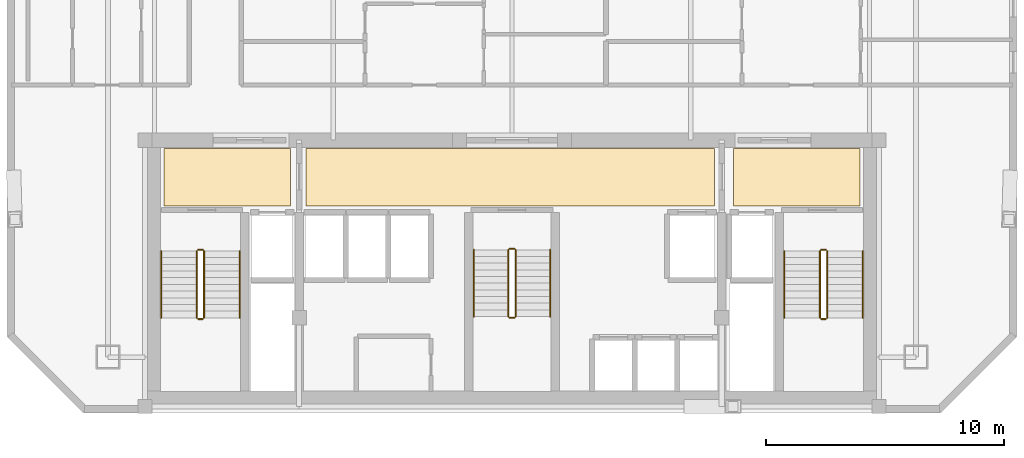
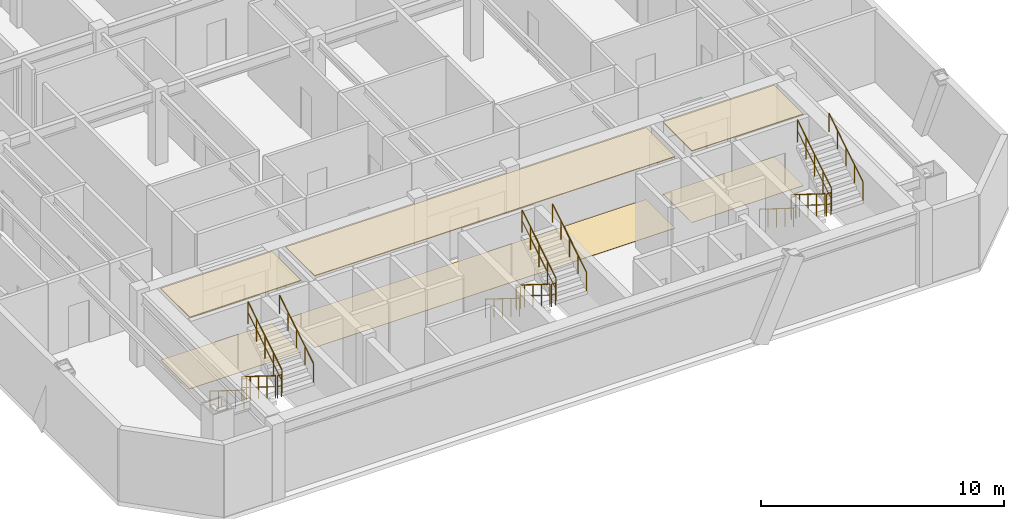
# One storey, part 7 of 7: 18 railings, 6 coverings.
"""IFC4 building model written with IfcOpenShell, lengths in metres."""

from ifc_helpers import new_model, si_unit, direction, frame, origin, origin_2d, place, context, subcontext, project, spatial, polyline, circle, outline, extrude, material, layer, layer_set, type_object, element, save


model = new_model("IFC4")

# Units and contexts
model_context = context("Model", 3, precision=1e-05, world=origin(), true_north=direction((0.0, 1.0)))
body_context = subcontext(model_context, "Body", "Model", "MODEL_VIEW")
ifc_project = project(units=[si_unit("LENGTHUNIT", "METRE"), si_unit("AREAUNIT", "SQUARE_METRE"), si_unit("VOLUMEUNIT", "CUBIC_METRE"), si_unit("PLANEANGLEUNIT", "RADIAN"), si_unit("MASSUNIT", "GRAM", prefix="KILO")], contexts=[model_context])

# Site, building, storey
site_placement = place(None, origin())
site = spatial("IfcSite", under=ifc_project, at=site_placement, CompositionType="ELEMENT")
building_placement = place(site_placement, origin())
building = spatial("IfcBuilding", under=site, at=building_placement, Name="Ventersveld Concourse Tower", CompositionType="ELEMENT")
storey_placement = place(building_placement, frame((0.0, 0.0, 234.949951171875)))
storey = spatial("IfcBuildingStorey", under=building, at=storey_placement, Name="L58", CompositionType="ELEMENT", Elevation=234.949951171875)

# Coverings
ifc_material_1 = material(Name="Mineral-fibre acoustic ceiling tile", Category="gypsum")
ifc_layer_1 = layer(ifc_material_1, 0.0400390625)
ifc_layer_set_1 = layer_set([ifc_layer_1], Name="Mineral-fibre acoustic ceiling tile")
covering_type_1 = type_object("IfcCoveringType", Name="COV-CEIL-ACOUSTIC", PredefinedType="CEILING", material=ifc_layer_set_1)
covering_1_placement = place(storey_placement, frame((0.0, 0.0, 3.590087890625)))
element("IfcCovering", 1, at=covering_1_placement, inside=storey, type_object=covering_type_1, Name="L58 North Lift Lobby Acoustic Ceiling", PredefinedType="CEILING", context=body_context, shape_type="SweptSolid", body=[
    extrude(outline(polyline([(20.10009765625, 8.699951171875), (37.25, 8.699951171875), (37.25, 11.10009765625), (20.10009765625, 11.10009765625), (20.10009765625, 8.699951171875)])), origin(), (0.0, 0.0, 1.0), 0.0400390625),
])
covering_2_placement = place(storey_placement, frame((0.0, 0.0, 3.590087890625)))
element("IfcCovering", 2, at=covering_2_placement, inside=storey, type_object=covering_type_1, Name="L58 West Firefighting Lobby Acoustic Ceiling", PredefinedType="CEILING", context=body_context, shape_type="SweptSolid", body=[
    extrude(outline(polyline([(14.14990234375, 8.699951171875), (19.449951171875, 8.699951171875), (19.449951171875, 11.10009765625), (14.14990234375, 11.10009765625), (14.14990234375, 8.699951171875)])), origin(), (0.0, 0.0, 1.0), 0.0400390625),
])
covering_3_placement = place(storey_placement, frame((0.0, 0.0, 3.590087890625)))
element("IfcCovering", 3, at=covering_3_placement, inside=storey, type_object=covering_type_1, Name="L58 East Firefighting Lobby Acoustic Ceiling", PredefinedType="CEILING", context=body_context, shape_type="SweptSolid", body=[
    extrude(outline(polyline([(38.050048828125, 8.699951171875), (43.35009765625, 8.699951171875), (43.35009765625, 11.10009765625), (38.050048828125, 11.10009765625), (38.050048828125, 8.699951171875)])), origin(), (0.0, 0.0, 1.0), 0.0400390625),
])
ifc_material_2 = material(Name="Polished Highveld granite terrazzo", Category="masonry")
ifc_layer_2 = layer(ifc_material_2, 0.02001953125)
ifc_layer_set_2 = layer_set([ifc_layer_2], Name="Polished Highveld granite terrazzo")
covering_type_2 = type_object("IfcCoveringType", Name="COV-FLOOR-TERRAZZO", PredefinedType="FLOORING", material=ifc_layer_set_2)
covering_4_placement = place(storey_placement, origin())
element("IfcCovering", 4, at=covering_4_placement, inside=storey, type_object=covering_type_2, Name="L58 North Lift Lobby Terrazzo Flooring", PredefinedType="FLOORING", context=body_context, shape_type="SweptSolid", body=[
    extrude(outline(polyline([(20.10009765625, 8.699951171875), (37.25, 8.699951171875), (37.25, 11.10009765625), (20.10009765625, 11.10009765625), (20.10009765625, 8.699951171875)])), origin(), (0.0, 0.0, 1.0), 0.02001953125),
])
covering_5_placement = place(storey_placement, origin())
element("IfcCovering", 5, at=covering_5_placement, inside=storey, type_object=covering_type_2, Name="L58 West Firefighting Lobby Terrazzo Flooring", PredefinedType="FLOORING", context=body_context, shape_type="SweptSolid", body=[
    extrude(outline(polyline([(14.14990234375, 8.699951171875), (19.449951171875, 8.699951171875), (19.449951171875, 11.10009765625), (14.14990234375, 11.10009765625), (14.14990234375, 8.699951171875)])), origin(), (0.0, 0.0, 1.0), 0.02001953125),
])
covering_6_placement = place(storey_placement, origin())
element("IfcCovering", 6, at=covering_6_placement, inside=storey, type_object=covering_type_2, Name="L58 East Firefighting Lobby Terrazzo Flooring", PredefinedType="FLOORING", context=body_context, shape_type="SweptSolid", body=[
    extrude(outline(polyline([(38.050048828125, 8.699951171875), (43.35009765625, 8.699951171875), (43.35009765625, 11.10009765625), (38.050048828125, 11.10009765625), (38.050048828125, 8.699951171875)])), origin(), (0.0, 0.0, 1.0), 0.02001953125),
])

# Railings
ifc_material_3 = material(Name="Brushed stainless steel 316", Category="steel")
railing_type_1 = type_object("IfcRailingType", Name="GD-BAL-115", PredefinedType="GUARDRAIL", material=ifc_material_3)
railing_1_placement = place(storey_placement, frame((15.530029296875, 6.800048828125, 0.175048828125)))
element("IfcRailing", 7, at=railing_1_placement, inside=storey, type_object=railing_type_1, Name="L58 ST-01 stair guard 1", PredefinedType="GUARDRAIL", context=body_context, shape_type="SweptSolid", body=[
    extrude(circle(Radius=0.02392578125, at=origin_2d()), frame((0.0, 0.0, 1.1259765625), z_axis=(0.0, -0.848002457836, 0.529992293815), x_axis=(1.0, 0.0, 0.0)), (0.0, 0.0, 1.0), 3.302001953125),
    extrude(circle(Radius=0.01611328125, at=origin_2d()), frame((0.0, 0.0, 0.574951171875), z_axis=(0.0, -0.848002457836, 0.529992293815), x_axis=(1.0, 0.0, 0.0)), (0.0, 0.0, 1.0), 3.302001953125),
    extrude(circle(Radius=0.02099609375, at=origin_2d()), origin(), (0.0, 0.0, 1.0), 1.101806640625),
    extrude(circle(Radius=0.02099609375, at=origin_2d()), frame((0.0, -0.699951171875, 0.4375)), (0.0, 0.0, 1.0), 1.101806640625),
    extrude(circle(Radius=0.02099609375, at=origin_2d()), frame((0.0, -1.39990234375, 0.875)), (0.0, 0.0, 1.0), 1.101806640625),
    extrude(circle(Radius=0.02099609375, at=origin_2d()), frame((0.0, -2.10009765625, 1.3125)), (0.0, 0.0, 1.0), 1.101806640625),
    extrude(circle(Radius=0.02099609375, at=origin_2d()), frame((0.0, -2.800048828125, 1.75)), (0.0, 0.0, 1.0), 1.101806640625),
])
railing_2_placement = place(storey_placement, frame((15.580078125, 3.949951171875, 1.925048828125)))
element("IfcRailing", 8, at=railing_2_placement, inside=storey, type_object=railing_type_1, Name="L58 ST-01 stair guard 2", PredefinedType="GUARDRAIL", context=body_context, shape_type="SweptSolid", body=[
    extrude(circle(Radius=0.02392578125, at=origin_2d()), frame((0.0, 0.0, 1.1259765625), z_axis=(1.0, 0.0, 0.0), x_axis=(0.0, 1.0, 0.0)), (0.0, 0.0, 1.0), 0.199951171875),
    extrude(circle(Radius=0.01611328125, at=origin_2d()), frame((0.0, 0.0, 0.574951171875), z_axis=(1.0, 0.0, 0.0), x_axis=(0.0, 1.0, 0.0)), (0.0, 0.0, 1.0), 0.199951171875),
    extrude(circle(Radius=0.02099609375, at=origin_2d()), origin(), (0.0, 0.0, 1.0), 1.101806640625),
    extrude(circle(Radius=0.02099609375, at=origin_2d()), frame((0.199951171875, 0.0, 0.0)), (0.0, 0.0, 1.0), 1.101806640625),
])
railing_3_placement = place(storey_placement, frame((15.830078125, 4.0, 2.10009765625)))
element("IfcRailing", 9, at=railing_3_placement, inside=storey, type_object=railing_type_1, Name="L58 ST-01 stair guard 3", PredefinedType="GUARDRAIL", context=body_context, shape_type="SweptSolid", body=[
    extrude(circle(Radius=0.02392578125, at=origin_2d()), frame((0.0, 0.0, 1.1259765625), z_axis=(0.0, 0.848002457836, 0.529992293815), x_axis=(-1.0, 0.0, 0.0)), (0.0, 0.0, 1.0), 3.302001953125),
    extrude(circle(Radius=0.01611328125, at=origin_2d()), frame((0.0, 0.0, 0.574951171875), z_axis=(0.0, 0.848002457836, 0.529992293815), x_axis=(-1.0, 0.0, 0.0)), (0.0, 0.0, 1.0), 3.302001953125),
    extrude(circle(Radius=0.02099609375, at=origin_2d()), origin(), (0.0, 0.0, 1.0), 1.101806640625),
    extrude(circle(Radius=0.02099609375, at=origin_2d()), frame((0.0, 0.699951171875, 0.4375)), (0.0, 0.0, 1.0), 1.101806640625),
    extrude(circle(Radius=0.02099609375, at=origin_2d()), frame((0.0, 1.39990234375, 0.875)), (0.0, 0.0, 1.0), 1.101806640625),
    extrude(circle(Radius=0.02099609375, at=origin_2d()), frame((0.0, 2.10009765625, 1.3125)), (0.0, 0.0, 1.0), 1.101806640625),
    extrude(circle(Radius=0.02099609375, at=origin_2d()), frame((0.0, 2.800048828125, 1.75)), (0.0, 0.0, 1.0), 1.101806640625),
])
railing_4_placement = place(storey_placement, frame((15.580078125, 6.85009765625, 0.0)))
element("IfcRailing", 10, at=railing_4_placement, inside=storey, type_object=railing_type_1, Name="L58 ST-01 stair guard 4", PredefinedType="GUARDRAIL", context=body_context, shape_type="SweptSolid", body=[
    extrude(circle(Radius=0.02392578125, at=origin_2d()), frame((0.0, 0.0, 1.1259765625), z_axis=(1.0, 0.0, 0.0), x_axis=(0.0, 1.0, 0.0)), (0.0, 0.0, 1.0), 0.199951171875),
    extrude(circle(Radius=0.01611328125, at=origin_2d()), frame((0.0, 0.0, 0.574951171875), z_axis=(1.0, 0.0, 0.0), x_axis=(0.0, 1.0, 0.0)), (0.0, 0.0, 1.0), 0.199951171875),
    extrude(circle(Radius=0.02099609375, at=origin_2d()), origin(), (0.0, 0.0, 1.0), 1.101806640625),
    extrude(circle(Radius=0.02099609375, at=origin_2d()), frame((0.199951171875, 0.0, 0.0)), (0.0, 0.0, 1.0), 1.101806640625),
])
railing_5_placement = place(storey_placement, frame((41.669921875, 6.800048828125, 0.175048828125)))
element("IfcRailing", 11, at=railing_5_placement, inside=storey, type_object=railing_type_1, Name="L58 ST-02 stair guard 1", PredefinedType="GUARDRAIL", context=body_context, shape_type="SweptSolid", body=[
    extrude(circle(Radius=0.02392578125, at=origin_2d()), frame((0.0, 0.0, 1.1259765625), z_axis=(0.0, -0.848002457836, 0.529992293815), x_axis=(1.0, 0.0, 0.0)), (0.0, 0.0, 1.0), 3.302001953125),
    extrude(circle(Radius=0.01611328125, at=origin_2d()), frame((0.0, 0.0, 0.574951171875), z_axis=(0.0, -0.848002457836, 0.529992293815), x_axis=(1.0, 0.0, 0.0)), (0.0, 0.0, 1.0), 3.302001953125),
    extrude(circle(Radius=0.02099609375, at=origin_2d()), origin(), (0.0, 0.0, 1.0), 1.101806640625),
    extrude(circle(Radius=0.02099609375, at=origin_2d()), frame((0.0, -0.699951171875, 0.4375)), (0.0, 0.0, 1.0), 1.101806640625),
    extrude(circle(Radius=0.02099609375, at=origin_2d()), frame((0.0, -1.39990234375, 0.875)), (0.0, 0.0, 1.0), 1.101806640625),
    extrude(circle(Radius=0.02099609375, at=origin_2d()), frame((0.0, -2.10009765625, 1.3125)), (0.0, 0.0, 1.0), 1.101806640625),
    extrude(circle(Radius=0.02099609375, at=origin_2d()), frame((0.0, -2.800048828125, 1.75)), (0.0, 0.0, 1.0), 1.101806640625),
])
railing_6_placement = place(storey_placement, frame((41.719970703125, 3.949951171875, 1.925048828125)))
element("IfcRailing", 12, at=railing_6_placement, inside=storey, type_object=railing_type_1, Name="L58 ST-02 stair guard 2", PredefinedType="GUARDRAIL", context=body_context, shape_type="SweptSolid", body=[
    extrude(circle(Radius=0.02392578125, at=origin_2d()), frame((0.0, 0.0, 1.1259765625), z_axis=(1.0, 0.0, 0.0), x_axis=(0.0, 1.0, 0.0)), (0.0, 0.0, 1.0), 0.199951171875),
    extrude(circle(Radius=0.01611328125, at=origin_2d()), frame((0.0, 0.0, 0.574951171875), z_axis=(1.0, 0.0, 0.0), x_axis=(0.0, 1.0, 0.0)), (0.0, 0.0, 1.0), 0.199951171875),
    extrude(circle(Radius=0.02099609375, at=origin_2d()), origin(), (0.0, 0.0, 1.0), 1.101806640625),
    extrude(circle(Radius=0.02099609375, at=origin_2d()), frame((0.199951171875, 0.0, 0.0)), (0.0, 0.0, 1.0), 1.101806640625),
])
railing_7_placement = place(storey_placement, frame((41.969970703125, 4.0, 2.10009765625)))
element("IfcRailing", 13, at=railing_7_placement, inside=storey, type_object=railing_type_1, Name="L58 ST-02 stair guard 3", PredefinedType="GUARDRAIL", context=body_context, shape_type="SweptSolid", body=[
    extrude(circle(Radius=0.02392578125, at=origin_2d()), frame((0.0, 0.0, 1.1259765625), z_axis=(0.0, 0.848002457836, 0.529992293815), x_axis=(-1.0, 0.0, 0.0)), (0.0, 0.0, 1.0), 3.302001953125),
    extrude(circle(Radius=0.01611328125, at=origin_2d()), frame((0.0, 0.0, 0.574951171875), z_axis=(0.0, 0.848002457836, 0.529992293815), x_axis=(-1.0, 0.0, 0.0)), (0.0, 0.0, 1.0), 3.302001953125),
    extrude(circle(Radius=0.02099609375, at=origin_2d()), origin(), (0.0, 0.0, 1.0), 1.101806640625),
    extrude(circle(Radius=0.02099609375, at=origin_2d()), frame((0.0, 0.699951171875, 0.4375)), (0.0, 0.0, 1.0), 1.101806640625),
    extrude(circle(Radius=0.02099609375, at=origin_2d()), frame((0.0, 1.39990234375, 0.875)), (0.0, 0.0, 1.0), 1.101806640625),
    extrude(circle(Radius=0.02099609375, at=origin_2d()), frame((0.0, 2.10009765625, 1.3125)), (0.0, 0.0, 1.0), 1.101806640625),
    extrude(circle(Radius=0.02099609375, at=origin_2d()), frame((0.0, 2.800048828125, 1.75)), (0.0, 0.0, 1.0), 1.101806640625),
])
railing_8_placement = place(storey_placement, frame((41.719970703125, 6.85009765625, 0.0)))
element("IfcRailing", 14, at=railing_8_placement, inside=storey, type_object=railing_type_1, Name="L58 ST-02 stair guard 4", PredefinedType="GUARDRAIL", context=body_context, shape_type="SweptSolid", body=[
    extrude(circle(Radius=0.02392578125, at=origin_2d()), frame((0.0, 0.0, 1.1259765625), z_axis=(1.0, 0.0, 0.0), x_axis=(0.0, 1.0, 0.0)), (0.0, 0.0, 1.0), 0.199951171875),
    extrude(circle(Radius=0.01611328125, at=origin_2d()), frame((0.0, 0.0, 0.574951171875), z_axis=(1.0, 0.0, 0.0), x_axis=(0.0, 1.0, 0.0)), (0.0, 0.0, 1.0), 0.199951171875),
    extrude(circle(Radius=0.02099609375, at=origin_2d()), origin(), (0.0, 0.0, 1.0), 1.101806640625),
    extrude(circle(Radius=0.02099609375, at=origin_2d()), frame((0.199951171875, 0.0, 0.0)), (0.0, 0.0, 1.0), 1.101806640625),
])
railing_9_placement = place(storey_placement, frame((28.60009765625, 6.85009765625, 0.175048828125)))
element("IfcRailing", 15, at=railing_9_placement, inside=storey, type_object=railing_type_1, Name="L58 ST-03 stair guard 1", PredefinedType="GUARDRAIL", context=body_context, shape_type="SweptSolid", body=[
    extrude(circle(Radius=0.02392578125, at=origin_2d()), frame((0.0, 0.0, 1.1259765625), z_axis=(0.0, -0.848002457836, 0.529992293815), x_axis=(1.0, 0.0, 0.0)), (0.0, 0.0, 1.0), 3.302001953125),
    extrude(circle(Radius=0.01611328125, at=origin_2d()), frame((0.0, 0.0, 0.574951171875), z_axis=(0.0, -0.848002457836, 0.529992293815), x_axis=(1.0, 0.0, 0.0)), (0.0, 0.0, 1.0), 3.302001953125),
    extrude(circle(Radius=0.02099609375, at=origin_2d()), origin(), (0.0, 0.0, 1.0), 1.101806640625),
    extrude(circle(Radius=0.02099609375, at=origin_2d()), frame((0.0, -0.699951171875, 0.4375)), (0.0, 0.0, 1.0), 1.101806640625),
    extrude(circle(Radius=0.02099609375, at=origin_2d()), frame((0.0, -1.39990234375, 0.875)), (0.0, 0.0, 1.0), 1.101806640625),
    extrude(circle(Radius=0.02099609375, at=origin_2d()), frame((0.0, -2.10009765625, 1.3125)), (0.0, 0.0, 1.0), 1.101806640625),
    extrude(circle(Radius=0.02099609375, at=origin_2d()), frame((0.0, -2.800048828125, 1.75)), (0.0, 0.0, 1.0), 1.101806640625),
])
railing_10_placement = place(storey_placement, frame((28.64990234375, 4.0, 1.925048828125)))
element("IfcRailing", 16, at=railing_10_placement, inside=storey, type_object=railing_type_1, Name="L58 ST-03 stair guard 2", PredefinedType="GUARDRAIL", context=body_context, shape_type="SweptSolid", body=[
    extrude(circle(Radius=0.02392578125, at=origin_2d()), frame((0.0, 0.0, 1.1259765625), z_axis=(1.0, 0.0, 0.0), x_axis=(0.0, 1.0, 0.0)), (0.0, 0.0, 1.0), 0.2001953125),
    extrude(circle(Radius=0.01611328125, at=origin_2d()), frame((0.0, 0.0, 0.574951171875), z_axis=(1.0, 0.0, 0.0), x_axis=(0.0, 1.0, 0.0)), (0.0, 0.0, 1.0), 0.2001953125),
    extrude(circle(Radius=0.02099609375, at=origin_2d()), origin(), (0.0, 0.0, 1.0), 1.101806640625),
    extrude(circle(Radius=0.02099609375, at=origin_2d()), frame((0.2001953125, 0.0, 0.0)), (0.0, 0.0, 1.0), 1.101806640625),
])
railing_11_placement = place(storey_placement, frame((28.89990234375, 4.050048828125, 2.10009765625)))
element("IfcRailing", 17, at=railing_11_placement, inside=storey, type_object=railing_type_1, Name="L58 ST-03 stair guard 3", PredefinedType="GUARDRAIL", context=body_context, shape_type="SweptSolid", body=[
    extrude(circle(Radius=0.02392578125, at=origin_2d()), frame((0.0, 0.0, 1.1259765625), z_axis=(0.0, 0.848002457836, 0.529992293815), x_axis=(-1.0, 0.0, 0.0)), (0.0, 0.0, 1.0), 3.302001953125),
    extrude(circle(Radius=0.01611328125, at=origin_2d()), frame((0.0, 0.0, 0.574951171875), z_axis=(0.0, 0.848002457836, 0.529992293815), x_axis=(-1.0, 0.0, 0.0)), (0.0, 0.0, 1.0), 3.302001953125),
    extrude(circle(Radius=0.02099609375, at=origin_2d()), origin(), (0.0, 0.0, 1.0), 1.101806640625),
    extrude(circle(Radius=0.02099609375, at=origin_2d()), frame((0.0, 0.699951171875, 0.4375)), (0.0, 0.0, 1.0), 1.101806640625),
    extrude(circle(Radius=0.02099609375, at=origin_2d()), frame((0.0, 1.39990234375, 0.875)), (0.0, 0.0, 1.0), 1.101806640625),
    extrude(circle(Radius=0.02099609375, at=origin_2d()), frame((0.0, 2.10009765625, 1.3125)), (0.0, 0.0, 1.0), 1.101806640625),
    extrude(circle(Radius=0.02099609375, at=origin_2d()), frame((0.0, 2.800048828125, 1.75)), (0.0, 0.0, 1.0), 1.101806640625),
])
railing_12_placement = place(storey_placement, frame((28.64990234375, 6.89990234375, 0.0)))
element("IfcRailing", 18, at=railing_12_placement, inside=storey, type_object=railing_type_1, Name="L58 ST-03 stair guard 4", PredefinedType="GUARDRAIL", context=body_context, shape_type="SweptSolid", body=[
    extrude(circle(Radius=0.02392578125, at=origin_2d()), frame((0.0, 0.0, 1.1259765625), z_axis=(1.0, 0.0, 0.0), x_axis=(0.0, 1.0, 0.0)), (0.0, 0.0, 1.0), 0.2001953125),
    extrude(circle(Radius=0.01611328125, at=origin_2d()), frame((0.0, 0.0, 0.574951171875), z_axis=(1.0, 0.0, 0.0), x_axis=(0.0, 1.0, 0.0)), (0.0, 0.0, 1.0), 0.2001953125),
    extrude(circle(Radius=0.02099609375, at=origin_2d()), origin(), (0.0, 0.0, 1.0), 1.101806640625),
    extrude(circle(Radius=0.02099609375, at=origin_2d()), frame((0.2001953125, 0.0, 0.0)), (0.0, 0.0, 1.0), 1.101806640625),
])
railing_type_2 = type_object("IfcRailingType", Name="HR-RMP-095", PredefinedType="HANDRAIL", material=ifc_material_3)
railing_13_placement = place(storey_placement, frame((14.030029296875, 6.800048828125, 0.175048828125)))
element("IfcRailing", 19, at=railing_13_placement, inside=storey, type_object=railing_type_2, Name="L58 ST-01 stair handrail 1", PredefinedType="HANDRAIL", context=body_context, shape_type="SweptSolid", body=[
    extrude(circle(Radius=0.02392578125, at=origin_2d()), frame((0.0, 0.0, 0.92578125), z_axis=(0.0, -0.848002457836, 0.529992293815), x_axis=(1.0, 0.0, 0.0)), (0.0, 0.0, 1.0), 3.302001953125),
    extrude(circle(Radius=0.02099609375, at=origin_2d()), origin(), (0.0, 0.0, 1.0), 0.90185546875),
    extrude(circle(Radius=0.02099609375, at=origin_2d()), frame((0.0, -0.699951171875, 0.4375)), (0.0, 0.0, 1.0), 0.90185546875),
    extrude(circle(Radius=0.02099609375, at=origin_2d()), frame((0.0, -1.39990234375, 0.875)), (0.0, 0.0, 1.0), 0.90185546875),
    extrude(circle(Radius=0.02099609375, at=origin_2d()), frame((0.0, -2.10009765625, 1.3125)), (0.0, 0.0, 1.0), 0.90185546875),
    extrude(circle(Radius=0.02099609375, at=origin_2d()), frame((0.0, -2.800048828125, 1.75)), (0.0, 0.0, 1.0), 0.90185546875),
])
railing_14_placement = place(storey_placement, frame((17.330078125, 4.0, 2.10009765625)))
element("IfcRailing", 20, at=railing_14_placement, inside=storey, type_object=railing_type_2, Name="L58 ST-01 stair handrail 2", PredefinedType="HANDRAIL", context=body_context, shape_type="SweptSolid", body=[
    extrude(circle(Radius=0.02392578125, at=origin_2d()), frame((0.0, 0.0, 0.92578125), z_axis=(0.0, 0.848002457836, 0.529992293815), x_axis=(-1.0, 0.0, 0.0)), (0.0, 0.0, 1.0), 3.302001953125),
    extrude(circle(Radius=0.02099609375, at=origin_2d()), origin(), (0.0, 0.0, 1.0), 0.90185546875),
    extrude(circle(Radius=0.02099609375, at=origin_2d()), frame((0.0, 0.699951171875, 0.4375)), (0.0, 0.0, 1.0), 0.90185546875),
    extrude(circle(Radius=0.02099609375, at=origin_2d()), frame((0.0, 1.39990234375, 0.875)), (0.0, 0.0, 1.0), 0.90185546875),
    extrude(circle(Radius=0.02099609375, at=origin_2d()), frame((0.0, 2.10009765625, 1.3125)), (0.0, 0.0, 1.0), 0.90185546875),
    extrude(circle(Radius=0.02099609375, at=origin_2d()), frame((0.0, 2.800048828125, 1.75)), (0.0, 0.0, 1.0), 0.90185546875),
])
railing_15_placement = place(storey_placement, frame((40.169921875, 6.800048828125, 0.175048828125)))
element("IfcRailing", 21, at=railing_15_placement, inside=storey, type_object=railing_type_2, Name="L58 ST-02 stair handrail 1", PredefinedType="HANDRAIL", context=body_context, shape_type="SweptSolid", body=[
    extrude(circle(Radius=0.02392578125, at=origin_2d()), frame((0.0, 0.0, 0.92578125), z_axis=(0.0, -0.848002457836, 0.529992293815), x_axis=(1.0, 0.0, 0.0)), (0.0, 0.0, 1.0), 3.302001953125),
    extrude(circle(Radius=0.02099609375, at=origin_2d()), origin(), (0.0, 0.0, 1.0), 0.90185546875),
    extrude(circle(Radius=0.02099609375, at=origin_2d()), frame((0.0, -0.699951171875, 0.4375)), (0.0, 0.0, 1.0), 0.90185546875),
    extrude(circle(Radius=0.02099609375, at=origin_2d()), frame((0.0, -1.39990234375, 0.875)), (0.0, 0.0, 1.0), 0.90185546875),
    extrude(circle(Radius=0.02099609375, at=origin_2d()), frame((0.0, -2.10009765625, 1.3125)), (0.0, 0.0, 1.0), 0.90185546875),
    extrude(circle(Radius=0.02099609375, at=origin_2d()), frame((0.0, -2.800048828125, 1.75)), (0.0, 0.0, 1.0), 0.90185546875),
])
railing_16_placement = place(storey_placement, frame((43.469970703125, 4.0, 2.10009765625)))
element("IfcRailing", 22, at=railing_16_placement, inside=storey, type_object=railing_type_2, Name="L58 ST-02 stair handrail 2", PredefinedType="HANDRAIL", context=body_context, shape_type="SweptSolid", body=[
    extrude(circle(Radius=0.02392578125, at=origin_2d()), frame((0.0, 0.0, 0.92578125), z_axis=(0.0, 0.848002457836, 0.529992293815), x_axis=(-1.0, 0.0, 0.0)), (0.0, 0.0, 1.0), 3.302001953125),
    extrude(circle(Radius=0.02099609375, at=origin_2d()), origin(), (0.0, 0.0, 1.0), 0.90185546875),
    extrude(circle(Radius=0.02099609375, at=origin_2d()), frame((0.0, 0.699951171875, 0.4375)), (0.0, 0.0, 1.0), 0.90185546875),
    extrude(circle(Radius=0.02099609375, at=origin_2d()), frame((0.0, 1.39990234375, 0.875)), (0.0, 0.0, 1.0), 0.90185546875),
    extrude(circle(Radius=0.02099609375, at=origin_2d()), frame((0.0, 2.10009765625, 1.3125)), (0.0, 0.0, 1.0), 0.90185546875),
    extrude(circle(Radius=0.02099609375, at=origin_2d()), frame((0.0, 2.800048828125, 1.75)), (0.0, 0.0, 1.0), 0.90185546875),
])
railing_17_placement = place(storey_placement, frame((27.14990234375, 6.85009765625, 0.175048828125)))
element("IfcRailing", 23, at=railing_17_placement, inside=storey, type_object=railing_type_2, Name="L58 ST-03 stair handrail 1", PredefinedType="HANDRAIL", context=body_context, shape_type="SweptSolid", body=[
    extrude(circle(Radius=0.02392578125, at=origin_2d()), frame((0.0, 0.0, 0.92578125), z_axis=(0.0, -0.848002457836, 0.529992293815), x_axis=(1.0, 0.0, 0.0)), (0.0, 0.0, 1.0), 3.302001953125),
    extrude(circle(Radius=0.02099609375, at=origin_2d()), origin(), (0.0, 0.0, 1.0), 0.90185546875),
    extrude(circle(Radius=0.02099609375, at=origin_2d()), frame((0.0, -0.699951171875, 0.4375)), (0.0, 0.0, 1.0), 0.90185546875),
    extrude(circle(Radius=0.02099609375, at=origin_2d()), frame((0.0, -1.39990234375, 0.875)), (0.0, 0.0, 1.0), 0.90185546875),
    extrude(circle(Radius=0.02099609375, at=origin_2d()), frame((0.0, -2.10009765625, 1.3125)), (0.0, 0.0, 1.0), 0.90185546875),
    extrude(circle(Radius=0.02099609375, at=origin_2d()), frame((0.0, -2.800048828125, 1.75)), (0.0, 0.0, 1.0), 0.90185546875),
])
railing_18_placement = place(storey_placement, frame((30.35009765625, 4.050048828125, 2.10009765625)))
element("IfcRailing", 24, at=railing_18_placement, inside=storey, type_object=railing_type_2, Name="L58 ST-03 stair handrail 2", PredefinedType="HANDRAIL", context=body_context, shape_type="SweptSolid", body=[
    extrude(circle(Radius=0.02392578125, at=origin_2d()), frame((0.0, 0.0, 0.92578125), z_axis=(0.0, 0.848002457836, 0.529992293815), x_axis=(-1.0, 0.0, 0.0)), (0.0, 0.0, 1.0), 3.302001953125),
    extrude(circle(Radius=0.02099609375, at=origin_2d()), origin(), (0.0, 0.0, 1.0), 0.90185546875),
    extrude(circle(Radius=0.02099609375, at=origin_2d()), frame((0.0, 0.699951171875, 0.4375)), (0.0, 0.0, 1.0), 0.90185546875),
    extrude(circle(Radius=0.02099609375, at=origin_2d()), frame((0.0, 1.39990234375, 0.875)), (0.0, 0.0, 1.0), 0.90185546875),
    extrude(circle(Radius=0.02099609375, at=origin_2d()), frame((0.0, 2.10009765625, 1.3125)), (0.0, 0.0, 1.0), 0.90185546875),
    extrude(circle(Radius=0.02099609375, at=origin_2d()), frame((0.0, 2.800048828125, 1.75)), (0.0, 0.0, 1.0), 0.90185546875),
])

save(model, "model.ifc")
